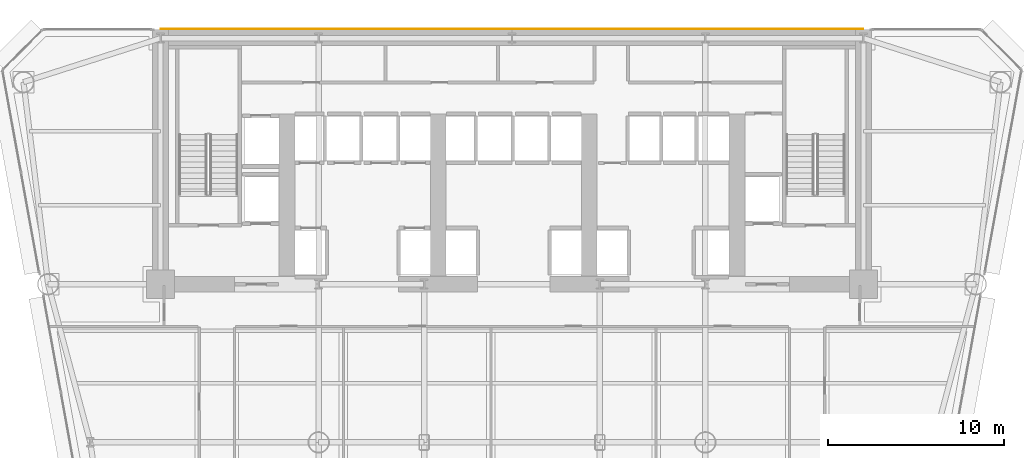
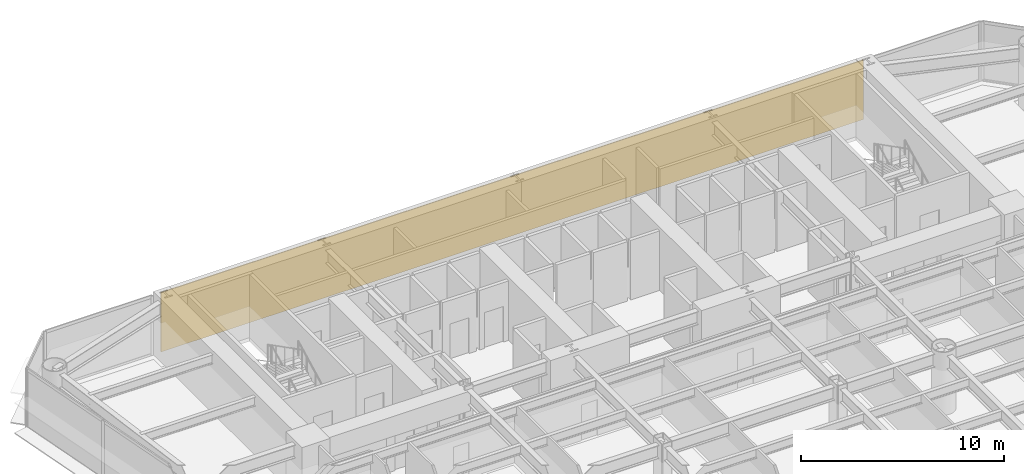
# One storey, part 13 of 14: 1 covering.
"""IFC4 building model written with IfcOpenShell, lengths in metres."""

import ifcopenshell
import ifcopenshell.guid

model = None  # the IFC model being written
_history = None  # IfcOwnerHistory: only IFC2X3 demands one
_inside = {}  # id of a spatial element -> (the spatial element, [elements in it])
_under = {}  # id of a project, library or spatial element -> (it, [spatial elements below it])
_declared = {}  # id of a project -> (the project, [libraries it declares])
_typed = {}  # id of a type object -> (the type object, [elements of that type])
_made_of = {}  # id of a material, layer set ... -> (it, [elements and type objects made of it])


def new_model(schema):
    """Start an empty IFC model of exactly this schema.

    Asked for "IFC4X3", IfcOpenShell would pick the latest addendum, in which some entities
    have other attributes; the version numbers below select the first issue.
    IFC2X3 requires an IfcOwnerHistory on every rooted entity: one is made here for all.
    """
    global model, _history
    if schema == "IFC4X3":
        model = ifcopenshell.file(schema_version=(4, 3, 0, 0))
    else:
        model = ifcopenshell.file(schema=schema)
    _inside.clear()
    _under.clear()
    _declared.clear()
    _typed.clear()
    _made_of.clear()
    _history = None
    if model.schema == "IFC2X3":
        org = make("IfcOrganization", Name="unknown")
        user = make(
            "IfcPersonAndOrganization",
            ThePerson=make("IfcPerson", FamilyName="unknown"),
            TheOrganization=org,
        )
        app = make(
            "IfcApplication",
            ApplicationDeveloper=org,
            Version="unknown",
            ApplicationFullName="unknown",
            ApplicationIdentifier="unknown",
        )
        _history = make(
            "IfcOwnerHistory",
            OwningUser=user,
            OwningApplication=app,
            ChangeAction="ADDED",
            CreationDate=0,
        )
    return model


def make(cls, **values):
    """One entity of the class cls with the attributes given. An attribute that is None is left unset."""
    return model.create_entity(
        cls, **{name: value for name, value in values.items() if value is not None}
    )


def rooted(cls, **values):
    """An entity with a GlobalId (a new one), such as an element, a storey or a relation."""
    return make(cls, GlobalId=ifcopenshell.guid.new(), OwnerHistory=_history, **values)


def si_unit(unit_type, name, prefix=None):
    """IfcSIUnit, for example si_unit("LENGTHUNIT", "METRE", prefix="MILLI")."""
    return make("IfcSIUnit", UnitType=unit_type, Prefix=prefix, Name=name)


def assignment(units):
    """IfcUnitAssignment: the units of a project."""
    return None if units is None else make("IfcUnitAssignment", Units=units)


def point(xyz):
    """IfcCartesianPoint."""
    return None if xyz is None else make("IfcCartesianPoint", Coordinates=xyz)


def direction(xyz):
    """IfcDirection."""
    return None if xyz is None else make("IfcDirection", DirectionRatios=xyz)


def frame(location, z_axis=None, x_axis=None):
    """IfcAxis2Placement3D, a coordinate frame: its origin and axes. An axis left out is left unset."""
    return make(
        "IfcAxis2Placement3D",
        Location=point(location),
        Axis=direction(z_axis),
        RefDirection=direction(x_axis),
    )


def origin():
    """The frame at (0, 0, 0) with its axes left unset."""
    return frame((0.0, 0.0, 0.0))


def place(relative_to, where):
    """IfcLocalPlacement: puts the frame where relative to a parent placement (None: the world)."""
    return make(
        "IfcLocalPlacement", PlacementRelTo=relative_to, RelativePlacement=where
    )


def context(
    kind, dimensions, precision=None, world=None, true_north=None, identifier=None
):
    """IfcGeometricRepresentationContext, for example the 3D "Model" context."""
    return make(
        "IfcGeometricRepresentationContext",
        ContextIdentifier=identifier,
        ContextType=kind,
        CoordinateSpaceDimension=dimensions,
        Precision=precision,
        WorldCoordinateSystem=world,
        TrueNorth=true_north,
    )


def subcontext(parent, identifier, kind, view, scale=None):
    """IfcGeometricRepresentationSubContext, for example "Body" below "Model"."""
    return make(
        "IfcGeometricRepresentationSubContext",
        ContextIdentifier=identifier,
        ContextType=kind,
        ParentContext=parent,
        TargetScale=scale,
        TargetView=view,
    )


def project(units=None, contexts=None):
    """IfcProject with its units and contexts."""
    return rooted(
        "IfcProject",
        Name="project",
        RepresentationContexts=contexts,
        UnitsInContext=assignment(units),
    )


def spatial(cls, under=None, at=None, **own):
    """A site, building, storey or space (cls), placed at a placement, below another one or the project."""
    s = rooted(cls, ObjectPlacement=at, **own)
    if under is not None:
        _under.setdefault(under.id(), (under, []))[1].append(s)
    return s


def polyline(points):
    """IfcPolyline through the points."""
    return make("IfcPolyline", Points=[point(p) for p in points])


def outline(outer, holes=None, kind="AREA"):
    """IfcArbitraryClosedProfileDef: a profile drawn as a closed curve; with holes, ...WithVoids."""
    if holes is None:
        return make("IfcArbitraryClosedProfileDef", ProfileType=kind, OuterCurve=outer)
    return make(
        "IfcArbitraryProfileDefWithVoids",
        ProfileType=kind,
        OuterCurve=outer,
        InnerCurves=holes,
    )


def extrude(swept, where, along, depth):
    """IfcExtrudedAreaSolid: the profile swept, set in the frame where, extruded along a direction by depth."""
    return make(
        "IfcExtrudedAreaSolid",
        SweptArea=swept,
        Position=where,
        ExtrudedDirection=direction(along),
        Depth=depth,
    )


def shape(context_of_items, identifier, shape_type, items):
    """IfcShapeRepresentation: the items that make up one representation, for example the "Body"."""
    return make(
        "IfcShapeRepresentation",
        ContextOfItems=context_of_items,
        RepresentationIdentifier=identifier,
        RepresentationType=shape_type,
        Items=items,
    )


def material(Name=None, Category=None):
    """IfcMaterial."""
    return make("IfcMaterial", Name=Name, Category=Category)


def layer(
    of_material, thickness, ventilated=None, Name=None, Category=None, Priority=None
):
    """IfcMaterialLayer: one layer of a wall or slab, of a material (None: an air gap)."""
    return make(
        "IfcMaterialLayer",
        Material=of_material,
        LayerThickness=thickness,
        IsVentilated=ventilated,
        Name=Name,
        Category=Category,
        Priority=Priority,
    )


def layer_set(layers, Name=None):
    """IfcMaterialLayerSet."""
    return make("IfcMaterialLayerSet", MaterialLayers=layers, LayerSetName=Name)


def made_of(thing, what):
    """Note that an element or type object is made of a material, layer set ...; save() writes the relation."""
    if what is not None:
        _made_of.setdefault(what.id(), (what, []))[1].append(thing)
    return thing


def type_object(cls, material=None, **own):
    """A type object (cls), such as IfcWallType, which elements share."""
    return made_of(rooted(cls, **own), material)


def element(
    cls,
    number,
    at=None,
    inside=None,
    cuts=None,
    type_object=None,
    material=None,
    context=None,
    identifier="Body",
    shape_type=None,
    held_by="IfcProductDefinitionShape",
    body=None,
    shapes=None,
    **own,
):
    """One element of the class cls, such as IfcWall. Its Tag is "e" and its number.

    at: its placement. inside: the storey or other place that contains it. cuts: it is an
    opening in that element (IfcRelVoidsElement). A single representation is given by context,
    identifier, shape_type and body (its items); several are given by shapes. held_by: the class
    of the entity that holds the representations. save() writes the other relations.
    """
    e = rooted(cls, Tag="e%d" % number, ObjectPlacement=at, **own)
    if body is not None:
        shapes = [shape(context, identifier, shape_type, body)]
    if shapes is not None:
        e.Representation = make(held_by, Representations=shapes)
    if inside is not None:
        _inside.setdefault(inside.id(), (inside, []))[1].append(e)
    if cuts is not None:
        rooted(
            "IfcRelVoidsElement", RelatingBuildingElement=cuts, RelatedOpeningElement=e
        )
    if type_object is not None:
        _typed.setdefault(type_object.id(), (type_object, []))[1].append(e)
    return made_of(e, material)


def aggregate(whole, parts):
    """IfcRelAggregates: a whole, such as a stair, and the parts it consists of."""
    return rooted("IfcRelAggregates", RelatingObject=whole, RelatedObjects=parts)


def save(model, path):
    """Write the relations noted so far, then the file.

    IfcRelAggregates (storeys below a building ...), IfcRelContainedInSpatialStructure (elements
    in a storey), IfcRelDefinesByType, IfcRelAssociatesMaterial and IfcRelDeclares: one each for
    every whole, place, type object, material and project.
    """
    for whole, parts in _under.values():
        aggregate(whole, parts)
    for where, things in _inside.values():
        rooted(
            "IfcRelContainedInSpatialStructure",
            RelatedElements=things,
            RelatingStructure=where,
        )
    for kind, things in _typed.values():
        rooted("IfcRelDefinesByType", RelatedObjects=things, RelatingType=kind)
    for what, things in _made_of.values():
        rooted("IfcRelAssociatesMaterial", RelatedObjects=things, RelatingMaterial=what)
    for by, libraries in _declared.values():
        rooted("IfcRelDeclares", RelatingContext=by, RelatedDefinitions=libraries)
    model.write(path)


model = new_model("IFC4")

# Units and contexts
model_context = context("Model", 3, precision=1e-05, world=origin(), true_north=direction((0.0, 1.0)))
body_context = subcontext(model_context, "Body", "Model", "MODEL_VIEW")
ifc_project = project(units=[si_unit("LENGTHUNIT", "METRE"), si_unit("AREAUNIT", "SQUARE_METRE"), si_unit("VOLUMEUNIT", "CUBIC_METRE"), si_unit("PLANEANGLEUNIT", "RADIAN"), si_unit("MASSUNIT", "GRAM", prefix="KILO")], contexts=[model_context])

# Site, building, storey
site_placement = place(None, origin())
site = spatial("IfcSite", under=ifc_project, at=site_placement, CompositionType="ELEMENT")
building_placement = place(site_placement, origin())
building = spatial("IfcBuilding", under=site, at=building_placement, Name="Vaeldorn Concourse Tower", CompositionType="ELEMENT")
storey_placement = place(building_placement, frame((0.0, 0.0, 26.39990234375)))
storey = spatial("IfcBuildingStorey", under=building, at=storey_placement, Name="L06", CompositionType="ELEMENT", Elevation=26.39990234375)

# Covering
ifc_material = material(Name="Anodised Bronze Aluminium", Category="aluminium")
ifc_layer = layer(ifc_material, 0.050048828125)
ifc_layer_set = layer_set([ifc_layer], Name="Anodised Bronze Aluminium")
covering_type = type_object("IfcCoveringType", Name="COV-CLAD-BRONZE", PredefinedType="CLADDING", material=ifc_layer_set)
covering_placement = place(storey_placement, origin())
element("IfcCovering", 1, at=covering_placement, inside=storey, type_object=covering_type, Name="Rear Core Bronze Spandrel Cladding L06", PredefinedType="CLADDING", context=body_context, shape_type="SweptSolid", body=[
    extrude(outline(polyline([(14.0, 51.0), (54.0, 51.0), (54.0, 51.050048828125), (14.0, 51.050048828125), (14.0, 51.0)])), origin(), (0.0, 0.0, 1.0), 3.580078125),
])

save(model, "model.ifc")
